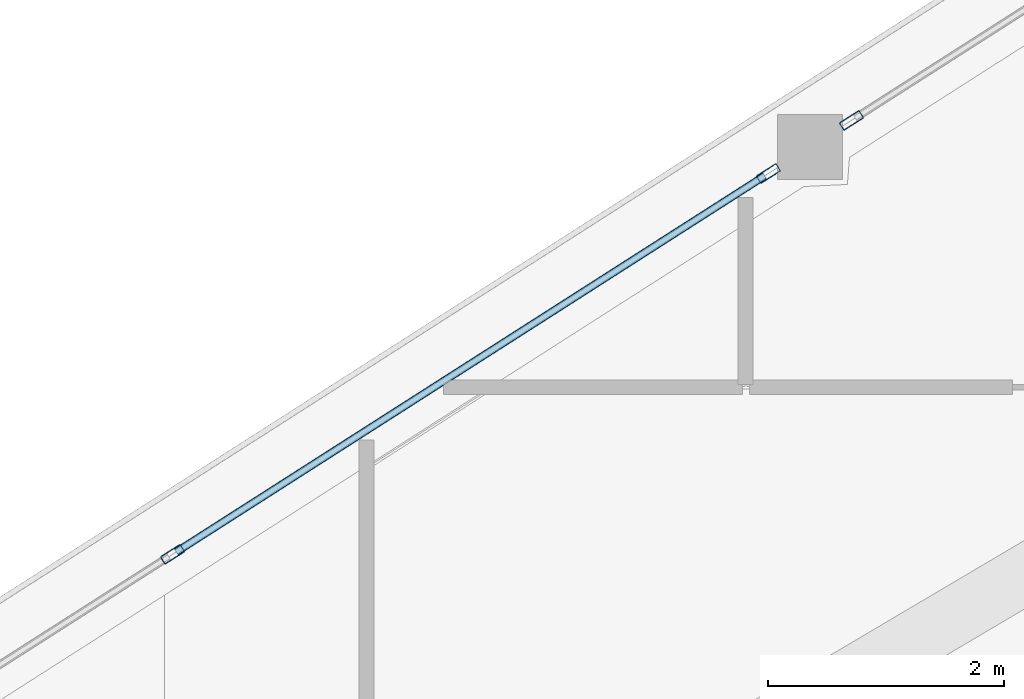
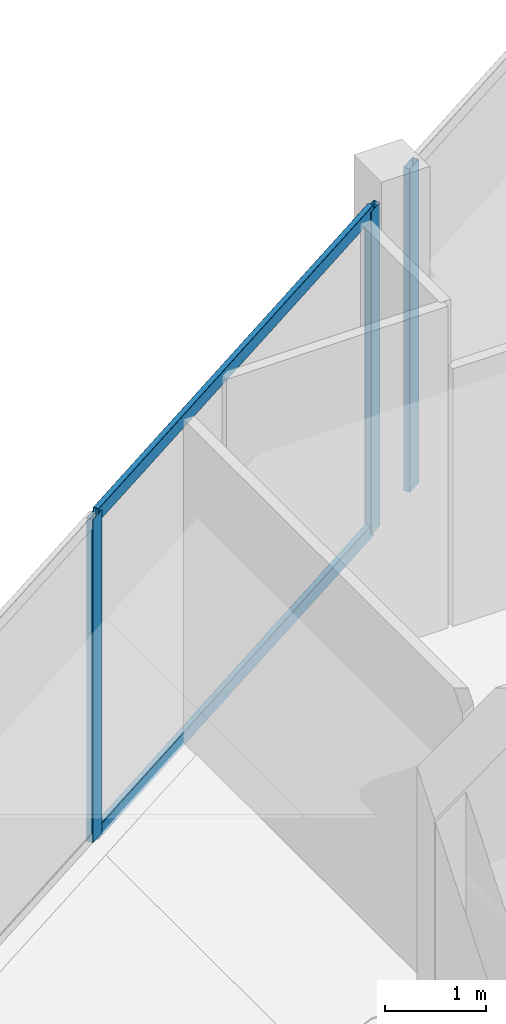
# One storey, part 11 of 25: 5 members, 2 elements without a shape of their own.
"""IFC4 building model written with IfcOpenShell, lengths in metres."""

import ifcopenshell
import ifcopenshell.guid

model = None  # the IFC model being written
_history = None  # IfcOwnerHistory: only IFC2X3 demands one
_inside = {}  # id of a spatial element -> (the spatial element, [elements in it])
_under = {}  # id of a project, library or spatial element -> (it, [spatial elements below it])
_declared = {}  # id of a project -> (the project, [libraries it declares])
_typed = {}  # id of a type object -> (the type object, [elements of that type])
_made_of = {}  # id of a material, layer set ... -> (it, [elements and type objects made of it])


def new_model(schema):
    """Start an empty IFC model of exactly this schema.

    Asked for "IFC4X3", IfcOpenShell would pick the latest addendum, in which some entities
    have other attributes; the version numbers below select the first issue.
    IFC2X3 requires an IfcOwnerHistory on every rooted entity: one is made here for all.
    """
    global model, _history
    if schema == "IFC4X3":
        model = ifcopenshell.file(schema_version=(4, 3, 0, 0))
    else:
        model = ifcopenshell.file(schema=schema)
    _inside.clear()
    _under.clear()
    _declared.clear()
    _typed.clear()
    _made_of.clear()
    _history = None
    if model.schema == "IFC2X3":
        org = make("IfcOrganization", Name="unknown")
        user = make(
            "IfcPersonAndOrganization",
            ThePerson=make("IfcPerson", FamilyName="unknown"),
            TheOrganization=org,
        )
        app = make(
            "IfcApplication",
            ApplicationDeveloper=org,
            Version="unknown",
            ApplicationFullName="unknown",
            ApplicationIdentifier="unknown",
        )
        _history = make(
            "IfcOwnerHistory",
            OwningUser=user,
            OwningApplication=app,
            ChangeAction="ADDED",
            CreationDate=0,
        )
    return model


def make(cls, **values):
    """One entity of the class cls with the attributes given. An attribute that is None is left unset."""
    return model.create_entity(
        cls, **{name: value for name, value in values.items() if value is not None}
    )


def rooted(cls, **values):
    """An entity with a GlobalId (a new one), such as an element, a storey or a relation."""
    return make(cls, GlobalId=ifcopenshell.guid.new(), OwnerHistory=_history, **values)


def si_unit(unit_type, name, prefix=None):
    """IfcSIUnit, for example si_unit("LENGTHUNIT", "METRE", prefix="MILLI")."""
    return make("IfcSIUnit", UnitType=unit_type, Prefix=prefix, Name=name)


def assignment(units):
    """IfcUnitAssignment: the units of a project."""
    return None if units is None else make("IfcUnitAssignment", Units=units)


def point(xyz):
    """IfcCartesianPoint."""
    return None if xyz is None else make("IfcCartesianPoint", Coordinates=xyz)


def direction(xyz):
    """IfcDirection."""
    return None if xyz is None else make("IfcDirection", DirectionRatios=xyz)


def frame(location, z_axis=None, x_axis=None):
    """IfcAxis2Placement3D, a coordinate frame: its origin and axes. An axis left out is left unset."""
    return make(
        "IfcAxis2Placement3D",
        Location=point(location),
        Axis=direction(z_axis),
        RefDirection=direction(x_axis),
    )


def frame_2d(location, x_axis=None):
    """IfcAxis2Placement2D, a coordinate frame in the plane: its origin and x axis."""
    return make(
        "IfcAxis2Placement2D", Location=point(location), RefDirection=direction(x_axis)
    )


def origin():
    """The frame at (0, 0, 0) with its axes left unset."""
    return frame((0.0, 0.0, 0.0))


def origin_2d():
    """The frame at (0, 0) in the plane with its x axis left unset."""
    return frame_2d((0.0, 0.0))


def place(relative_to, where):
    """IfcLocalPlacement: puts the frame where relative to a parent placement (None: the world)."""
    return make(
        "IfcLocalPlacement", PlacementRelTo=relative_to, RelativePlacement=where
    )


def context(
    kind, dimensions, precision=None, world=None, true_north=None, identifier=None
):
    """IfcGeometricRepresentationContext, for example the 3D "Model" context."""
    return make(
        "IfcGeometricRepresentationContext",
        ContextIdentifier=identifier,
        ContextType=kind,
        CoordinateSpaceDimension=dimensions,
        Precision=precision,
        WorldCoordinateSystem=world,
        TrueNorth=true_north,
    )


def subcontext(parent, identifier, kind, view, scale=None):
    """IfcGeometricRepresentationSubContext, for example "Body" below "Model"."""
    return make(
        "IfcGeometricRepresentationSubContext",
        ContextIdentifier=identifier,
        ContextType=kind,
        ParentContext=parent,
        TargetScale=scale,
        TargetView=view,
    )


def project(units=None, contexts=None):
    """IfcProject with its units and contexts."""
    return rooted(
        "IfcProject",
        Name="project",
        RepresentationContexts=contexts,
        UnitsInContext=assignment(units),
    )


def spatial(cls, under=None, at=None, **own):
    """A site, building, storey or space (cls), placed at a placement, below another one or the project."""
    s = rooted(cls, ObjectPlacement=at, **own)
    if under is not None:
        _under.setdefault(under.id(), (under, []))[1].append(s)
    return s


def profile(cls, at=None, kind="AREA", **sizes):
    """A parametric profile (cls). Its sizes go by their IFC names, for example OverallWidth=200.0."""
    return make(cls, ProfileType=kind, Position=at, **sizes)


def hollow_rectangle(**sizes):
    """IfcRectangleHollowProfileDef."""
    return profile("IfcRectangleHollowProfileDef", **sizes)


def extrude(swept, where, along, depth):
    """IfcExtrudedAreaSolid: the profile swept, set in the frame where, extruded along a direction by depth."""
    return make(
        "IfcExtrudedAreaSolid",
        SweptArea=swept,
        Position=where,
        ExtrudedDirection=direction(along),
        Depth=depth,
    )


def shape(context_of_items, identifier, shape_type, items):
    """IfcShapeRepresentation: the items that make up one representation, for example the "Body"."""
    return make(
        "IfcShapeRepresentation",
        ContextOfItems=context_of_items,
        RepresentationIdentifier=identifier,
        RepresentationType=shape_type,
        Items=items,
    )


def material(Name=None, Category=None):
    """IfcMaterial."""
    return make("IfcMaterial", Name=Name, Category=Category)


def layer(
    of_material, thickness, ventilated=None, Name=None, Category=None, Priority=None
):
    """IfcMaterialLayer: one layer of a wall or slab, of a material (None: an air gap)."""
    return make(
        "IfcMaterialLayer",
        Material=of_material,
        LayerThickness=thickness,
        IsVentilated=ventilated,
        Name=Name,
        Category=Category,
        Priority=Priority,
    )


def layer_set(layers, Name=None):
    """IfcMaterialLayerSet."""
    return make("IfcMaterialLayerSet", MaterialLayers=layers, LayerSetName=Name)


def material_profile(
    of_material, cross_section, Name=None, Category=None, Priority=None
):
    """IfcMaterialProfile: a cross section and its material."""
    return make(
        "IfcMaterialProfile",
        Name=Name,
        Material=of_material,
        Profile=cross_section,
        Priority=Priority,
        Category=Category,
    )


def profile_set(profiles, Name=None, composite=None):
    """IfcMaterialProfileSet."""
    return make(
        "IfcMaterialProfileSet",
        Name=Name,
        MaterialProfiles=profiles,
        CompositeProfile=composite,
    )


def made_of(thing, what):
    """Note that an element or type object is made of a material, layer set ...; save() writes the relation."""
    if what is not None:
        _made_of.setdefault(what.id(), (what, []))[1].append(thing)
    return thing


def type_object(cls, material=None, **own):
    """A type object (cls), such as IfcWallType, which elements share."""
    return made_of(rooted(cls, **own), material)


def element(
    cls,
    number,
    at=None,
    inside=None,
    cuts=None,
    type_object=None,
    material=None,
    context=None,
    identifier="Body",
    shape_type=None,
    held_by="IfcProductDefinitionShape",
    body=None,
    shapes=None,
    **own,
):
    """One element of the class cls, such as IfcWall. Its Tag is "e" and its number.

    at: its placement. inside: the storey or other place that contains it. cuts: it is an
    opening in that element (IfcRelVoidsElement). A single representation is given by context,
    identifier, shape_type and body (its items); several are given by shapes. held_by: the class
    of the entity that holds the representations. save() writes the other relations.
    """
    e = rooted(cls, Tag="e%d" % number, ObjectPlacement=at, **own)
    if body is not None:
        shapes = [shape(context, identifier, shape_type, body)]
    if shapes is not None:
        e.Representation = make(held_by, Representations=shapes)
    if inside is not None:
        _inside.setdefault(inside.id(), (inside, []))[1].append(e)
    if cuts is not None:
        rooted(
            "IfcRelVoidsElement", RelatingBuildingElement=cuts, RelatedOpeningElement=e
        )
    if type_object is not None:
        _typed.setdefault(type_object.id(), (type_object, []))[1].append(e)
    return made_of(e, material)


def aggregate(whole, parts):
    """IfcRelAggregates: a whole, such as a stair, and the parts it consists of."""
    return rooted("IfcRelAggregates", RelatingObject=whole, RelatedObjects=parts)


def save(model, path):
    """Write the relations noted so far, then the file.

    IfcRelAggregates (storeys below a building ...), IfcRelContainedInSpatialStructure (elements
    in a storey), IfcRelDefinesByType, IfcRelAssociatesMaterial and IfcRelDeclares: one each for
    every whole, place, type object, material and project.
    """
    for whole, parts in _under.values():
        aggregate(whole, parts)
    for where, things in _inside.values():
        rooted(
            "IfcRelContainedInSpatialStructure",
            RelatedElements=things,
            RelatingStructure=where,
        )
    for kind, things in _typed.values():
        rooted("IfcRelDefinesByType", RelatedObjects=things, RelatingType=kind)
    for what, things in _made_of.values():
        rooted("IfcRelAssociatesMaterial", RelatedObjects=things, RelatingMaterial=what)
    for by, libraries in _declared.values():
        rooted("IfcRelDeclares", RelatingContext=by, RelatedDefinitions=libraries)
    model.write(path)


model = new_model("IFC4")

# Units and contexts
model_context = context("Model", 3, precision=1e-05, world=origin(), true_north=direction((0.0, 1.0)))
body_context = subcontext(model_context, "Body", "Model", "MODEL_VIEW")
ifc_project = project(units=[si_unit("LENGTHUNIT", "METRE"), si_unit("AREAUNIT", "SQUARE_METRE"), si_unit("VOLUMEUNIT", "CUBIC_METRE"), si_unit("PLANEANGLEUNIT", "RADIAN"), si_unit("MASSUNIT", "GRAM", prefix="KILO")], contexts=[model_context])

# Site, building, storey
site_placement = place(None, origin())
site = spatial("IfcSite", under=ifc_project, at=site_placement, CompositionType="ELEMENT")
building_placement = place(site_placement, origin())
building = spatial("IfcBuilding", under=site, at=building_placement, Name="Qorvath Tower", CompositionType="ELEMENT")
storey_placement = place(building_placement, frame((0.0, 0.0, 297.60009765625)))
storey = spatial("IfcBuildingStorey", under=building, at=storey_placement, Name="L69", CompositionType="ELEMENT", Elevation=297.60009765625)

# Curtain wall, member
ifc_material_1 = material(Name="Anodised aluminium and triple low-E glass", Category="aluminium")
ifc_layer = layer(ifc_material_1, 0.179931640625)
ifc_layer_set = layer_set([ifc_layer], Name="CW-SYS-5")
curtain_wall_type = type_object("IfcCurtainWallType", Name="CW-SYS-5", PredefinedType="NOTDEFINED", material=ifc_layer_set)
curtain_wall_1_placement = place(storey_placement, origin())
curtain_wall_1 = element("IfcCurtainWall", 1, at=curtain_wall_1_placement, inside=storey, type_object=curtain_wall_type, Name="Curtain Wall CW-5 CW-T-L69-16.2", PredefinedType="NOTDEFINED")
ifc_material_2 = material(Name="Anodised aluminium 6063-T6", Category="aluminium")
ifc_material_profile_1 = material_profile(ifc_material_2, hollow_rectangle(XDim=0.074951171875, YDim=0.199951171875, WallThickness=0.00390625, InnerFilletRadius=0.00390625, OuterFilletRadius=0.008056640625, at=origin_2d()), Name="CWM 200x75")
ifc_profile_set_1 = profile_set([ifc_material_profile_1], Name="Anodised aluminium 6063-T6")
member_type_1 = type_object("IfcMemberType", Name="CWM-200", PredefinedType="MULLION", material=ifc_profile_set_1)
member_1_placement = place(storey_placement, frame((-33.752685546875, 13.017333984375, 0.0), z_axis=(0.0, 0.0, 1.0), x_axis=(0.538541483143, -0.842598997705, 0.0)))
member_1 = element("IfcMember", 2, at=member_1_placement, type_object=member_type_1, Name="CW-5 mullion 4", PredefinedType="MULLION", context=body_context, shape_type="SweptSolid", body=[
    extrude(hollow_rectangle(XDim=0.074951171875, YDim=0.199951171875, WallThickness=0.00390625, InnerFilletRadius=0.00390625, OuterFilletRadius=0.008056640625, at=origin_2d()), origin(), (0.0, 0.0, 1.0), 3.909912109375),
])
aggregate(curtain_wall_1, [member_1])

# Curtain wall, members
curtain_wall_2_placement = place(storey_placement, origin())
curtain_wall_2 = element("IfcCurtainWall", 3, at=curtain_wall_2_placement, inside=storey, type_object=curtain_wall_type, Name="Curtain Wall CW-5 CW-T-L69-16.3", PredefinedType="NOTDEFINED")
member_2_placement = place(storey_placement, frame((-34.455810546875, 12.56787109375, 0.0), z_axis=(0.0, 0.0, 1.0), x_axis=(0.538537046665, -0.842601833234, 0.0)))
member_2 = element("IfcMember", 4, at=member_2_placement, type_object=member_type_1, Name="CW-5 mullion 1", PredefinedType="MULLION", context=body_context, shape_type="SweptSolid", body=[
    extrude(hollow_rectangle(XDim=0.074951171875, YDim=0.199951171875, WallThickness=0.00390625, InnerFilletRadius=0.00390625, OuterFilletRadius=0.008056640625, at=origin_2d()), origin(), (0.0, 0.0, 1.0), 3.909912109375),
])
member_3_placement = place(storey_placement, frame((-39.500732421875, 9.34375, 0.0), z_axis=(0.0, 0.0, 1.0), x_axis=(0.538537046665, -0.842601833234, 0.0)))
member_3 = element("IfcMember", 5, at=member_3_placement, type_object=member_type_1, Name="CW-5 mullion 2", PredefinedType="MULLION", context=body_context, shape_type="SweptSolid", body=[
    extrude(hollow_rectangle(XDim=0.074951171875, YDim=0.199951171875, WallThickness=0.00390625, InnerFilletRadius=0.00390625, OuterFilletRadius=0.008056640625, at=origin_2d()), origin(), (0.0, 0.0, 1.0), 3.909912109375),
])
ifc_material_3 = material(Name="Anodised aluminium 6063-T6", Category="aluminium")
ifc_material_profile_2 = material_profile(ifc_material_3, hollow_rectangle(XDim=0.06494140625, YDim=0.159912109375, WallThickness=0.00341796875, InnerFilletRadius=0.00341796875, OuterFilletRadius=0.007080078125, at=origin_2d()), Name="CWT 160x65")
ifc_profile_set_2 = profile_set([ifc_material_profile_2], Name="Anodised aluminium 6063-T6")
member_type_2 = type_object("IfcMemberType", Name="CWT-160", PredefinedType="USERDEFINED", material=ifc_profile_set_2)
member_4_placement = place(storey_placement, frame((-34.487548828125, 12.547607421875, 0.032470703125), z_axis=(-0.84260048537, -0.538539155544, 0.0), x_axis=(0.538539155544, -0.84260048537, 0.0)))
member_4 = element("IfcMember", 6, at=member_4_placement, type_object=member_type_2, Name="CW-5 transom 1.1", ObjectType="TRANSOM", PredefinedType="USERDEFINED", context=body_context, shape_type="SweptSolid", body=[
    extrude(hollow_rectangle(XDim=0.06494140625, YDim=0.159912109375, WallThickness=0.00341796875, InnerFilletRadius=0.00341796875, OuterFilletRadius=0.007080078125, at=origin_2d()), origin(), (0.0, 0.0, 1.0), 5.912109375),
])
member_5_placement = place(storey_placement, frame((-34.487548828125, 12.547607421875, 3.87744140625), z_axis=(-0.84260048537, -0.538539155544, 0.0), x_axis=(0.538539155544, -0.84260048537, 0.0)))
member_5 = element("IfcMember", 7, at=member_5_placement, type_object=member_type_2, Name="CW-5 transom 1.2", ObjectType="TRANSOM", PredefinedType="USERDEFINED", context=body_context, shape_type="SweptSolid", body=[
    extrude(hollow_rectangle(XDim=0.06494140625, YDim=0.159912109375, WallThickness=0.00341796875, InnerFilletRadius=0.00341796875, OuterFilletRadius=0.007080078125, at=origin_2d()), origin(), (0.0, 0.0, 1.0), 5.912109375),
])
aggregate(curtain_wall_2, [member_2, member_3, member_4, member_5])

save(model, "model.ifc")
